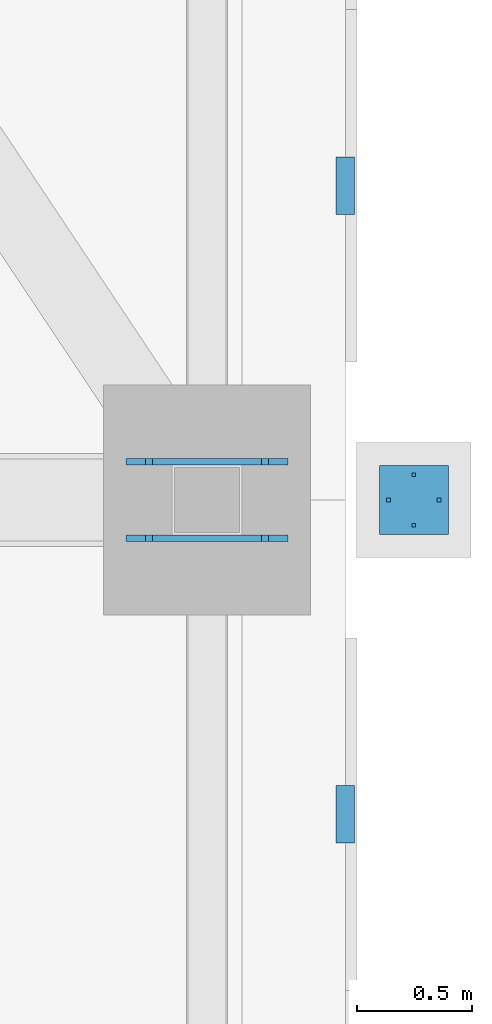
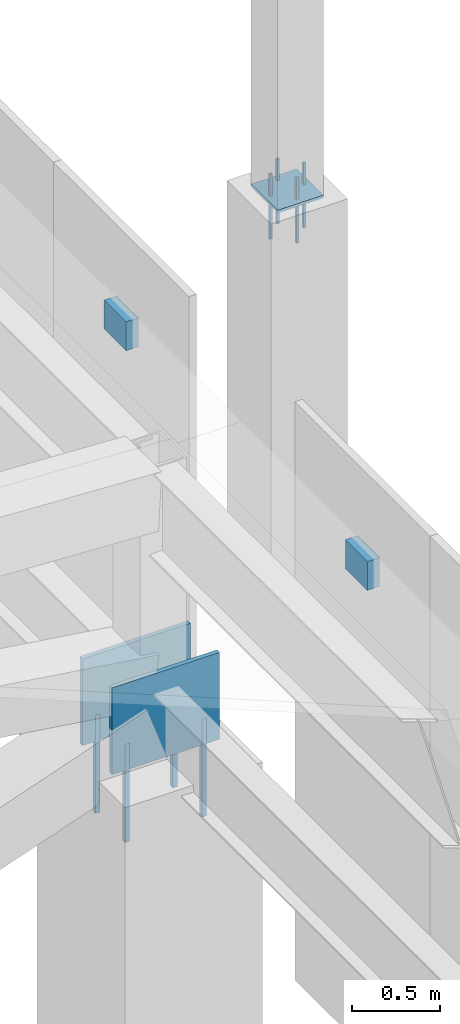
# One storey, part 193 of 278: 8 mechanical fasteners, 5 discrete accessories.
"""IFC4 building model written with IfcOpenShell, lengths in metres."""

import ifcopenshell
import ifcopenshell.guid

model = None  # the IFC model being written
_history = None  # IfcOwnerHistory: only IFC2X3 demands one
_inside = {}  # id of a spatial element -> (the spatial element, [elements in it])
_under = {}  # id of a project, library or spatial element -> (it, [spatial elements below it])
_declared = {}  # id of a project -> (the project, [libraries it declares])
_typed = {}  # id of a type object -> (the type object, [elements of that type])
_made_of = {}  # id of a material, layer set ... -> (it, [elements and type objects made of it])


def new_model(schema):
    """Start an empty IFC model of exactly this schema.

    Asked for "IFC4X3", IfcOpenShell would pick the latest addendum, in which some entities
    have other attributes; the version numbers below select the first issue.
    IFC2X3 requires an IfcOwnerHistory on every rooted entity: one is made here for all.
    """
    global model, _history
    if schema == "IFC4X3":
        model = ifcopenshell.file(schema_version=(4, 3, 0, 0))
    else:
        model = ifcopenshell.file(schema=schema)
    _inside.clear()
    _under.clear()
    _declared.clear()
    _typed.clear()
    _made_of.clear()
    _history = None
    if model.schema == "IFC2X3":
        org = make("IfcOrganization", Name="unknown")
        user = make(
            "IfcPersonAndOrganization",
            ThePerson=make("IfcPerson", FamilyName="unknown"),
            TheOrganization=org,
        )
        app = make(
            "IfcApplication",
            ApplicationDeveloper=org,
            Version="unknown",
            ApplicationFullName="unknown",
            ApplicationIdentifier="unknown",
        )
        _history = make(
            "IfcOwnerHistory",
            OwningUser=user,
            OwningApplication=app,
            ChangeAction="ADDED",
            CreationDate=0,
        )
    return model


def make(cls, **values):
    """One entity of the class cls with the attributes given. An attribute that is None is left unset."""
    return model.create_entity(
        cls, **{name: value for name, value in values.items() if value is not None}
    )


def rooted(cls, **values):
    """An entity with a GlobalId (a new one), such as an element, a storey or a relation."""
    return make(cls, GlobalId=ifcopenshell.guid.new(), OwnerHistory=_history, **values)


def si_unit(unit_type, name, prefix=None):
    """IfcSIUnit, for example si_unit("LENGTHUNIT", "METRE", prefix="MILLI")."""
    return make("IfcSIUnit", UnitType=unit_type, Prefix=prefix, Name=name)


def assignment(units):
    """IfcUnitAssignment: the units of a project."""
    return None if units is None else make("IfcUnitAssignment", Units=units)


def point(xyz):
    """IfcCartesianPoint."""
    return None if xyz is None else make("IfcCartesianPoint", Coordinates=xyz)


def direction(xyz):
    """IfcDirection."""
    return None if xyz is None else make("IfcDirection", DirectionRatios=xyz)


def frame(location, z_axis=None, x_axis=None):
    """IfcAxis2Placement3D, a coordinate frame: its origin and axes. An axis left out is left unset."""
    return make(
        "IfcAxis2Placement3D",
        Location=point(location),
        Axis=direction(z_axis),
        RefDirection=direction(x_axis),
    )


def frame_2d(location, x_axis=None):
    """IfcAxis2Placement2D, a coordinate frame in the plane: its origin and x axis."""
    return make(
        "IfcAxis2Placement2D", Location=point(location), RefDirection=direction(x_axis)
    )


def origin():
    """The frame at (0, 0, 0) with its axes left unset."""
    return frame((0.0, 0.0, 0.0))


def origin_2d():
    """The frame at (0, 0) in the plane with its x axis left unset."""
    return frame_2d((0.0, 0.0))


def place(relative_to, where):
    """IfcLocalPlacement: puts the frame where relative to a parent placement (None: the world)."""
    return make(
        "IfcLocalPlacement", PlacementRelTo=relative_to, RelativePlacement=where
    )


def context(
    kind, dimensions, precision=None, world=None, true_north=None, identifier=None
):
    """IfcGeometricRepresentationContext, for example the 3D "Model" context."""
    return make(
        "IfcGeometricRepresentationContext",
        ContextIdentifier=identifier,
        ContextType=kind,
        CoordinateSpaceDimension=dimensions,
        Precision=precision,
        WorldCoordinateSystem=world,
        TrueNorth=true_north,
    )


def subcontext(parent, identifier, kind, view, scale=None):
    """IfcGeometricRepresentationSubContext, for example "Body" below "Model"."""
    return make(
        "IfcGeometricRepresentationSubContext",
        ContextIdentifier=identifier,
        ContextType=kind,
        ParentContext=parent,
        TargetScale=scale,
        TargetView=view,
    )


def project(units=None, contexts=None):
    """IfcProject with its units and contexts."""
    return rooted(
        "IfcProject",
        Name="project",
        RepresentationContexts=contexts,
        UnitsInContext=assignment(units),
    )


def spatial(cls, under=None, at=None, **own):
    """A site, building, storey or space (cls), placed at a placement, below another one or the project."""
    s = rooted(cls, ObjectPlacement=at, **own)
    if under is not None:
        _under.setdefault(under.id(), (under, []))[1].append(s)
    return s


def profile(cls, at=None, kind="AREA", **sizes):
    """A parametric profile (cls). Its sizes go by their IFC names, for example OverallWidth=200.0."""
    return make(cls, ProfileType=kind, Position=at, **sizes)


def rectangle(**sizes):
    """IfcRectangleProfileDef."""
    return profile("IfcRectangleProfileDef", **sizes)


def extrude(swept, where, along, depth):
    """IfcExtrudedAreaSolid: the profile swept, set in the frame where, extruded along a direction by depth."""
    return make(
        "IfcExtrudedAreaSolid",
        SweptArea=swept,
        Position=where,
        ExtrudedDirection=direction(along),
        Depth=depth,
    )


def shape(context_of_items, identifier, shape_type, items):
    """IfcShapeRepresentation: the items that make up one representation, for example the "Body"."""
    return make(
        "IfcShapeRepresentation",
        ContextOfItems=context_of_items,
        RepresentationIdentifier=identifier,
        RepresentationType=shape_type,
        Items=items,
    )


def material(Name=None, Category=None):
    """IfcMaterial."""
    return make("IfcMaterial", Name=Name, Category=Category)


def layer(
    of_material, thickness, ventilated=None, Name=None, Category=None, Priority=None
):
    """IfcMaterialLayer: one layer of a wall or slab, of a material (None: an air gap)."""
    return make(
        "IfcMaterialLayer",
        Material=of_material,
        LayerThickness=thickness,
        IsVentilated=ventilated,
        Name=Name,
        Category=Category,
        Priority=Priority,
    )


def layer_set(layers, Name=None):
    """IfcMaterialLayerSet."""
    return make("IfcMaterialLayerSet", MaterialLayers=layers, LayerSetName=Name)


def made_of(thing, what):
    """Note that an element or type object is made of a material, layer set ...; save() writes the relation."""
    if what is not None:
        _made_of.setdefault(what.id(), (what, []))[1].append(thing)
    return thing


def type_object(cls, material=None, **own):
    """A type object (cls), such as IfcWallType, which elements share."""
    return made_of(rooted(cls, **own), material)


def element(
    cls,
    number,
    at=None,
    inside=None,
    cuts=None,
    type_object=None,
    material=None,
    context=None,
    identifier="Body",
    shape_type=None,
    held_by="IfcProductDefinitionShape",
    body=None,
    shapes=None,
    **own,
):
    """One element of the class cls, such as IfcWall. Its Tag is "e" and its number.

    at: its placement. inside: the storey or other place that contains it. cuts: it is an
    opening in that element (IfcRelVoidsElement). A single representation is given by context,
    identifier, shape_type and body (its items); several are given by shapes. held_by: the class
    of the entity that holds the representations. save() writes the other relations.
    """
    e = rooted(cls, Tag="e%d" % number, ObjectPlacement=at, **own)
    if body is not None:
        shapes = [shape(context, identifier, shape_type, body)]
    if shapes is not None:
        e.Representation = make(held_by, Representations=shapes)
    if inside is not None:
        _inside.setdefault(inside.id(), (inside, []))[1].append(e)
    if cuts is not None:
        rooted(
            "IfcRelVoidsElement", RelatingBuildingElement=cuts, RelatedOpeningElement=e
        )
    if type_object is not None:
        _typed.setdefault(type_object.id(), (type_object, []))[1].append(e)
    return made_of(e, material)


def aggregate(whole, parts):
    """IfcRelAggregates: a whole, such as a stair, and the parts it consists of."""
    return rooted("IfcRelAggregates", RelatingObject=whole, RelatedObjects=parts)


def save(model, path):
    """Write the relations noted so far, then the file.

    IfcRelAggregates (storeys below a building ...), IfcRelContainedInSpatialStructure (elements
    in a storey), IfcRelDefinesByType, IfcRelAssociatesMaterial and IfcRelDeclares: one each for
    every whole, place, type object, material and project.
    """
    for whole, parts in _under.values():
        aggregate(whole, parts)
    for where, things in _inside.values():
        rooted(
            "IfcRelContainedInSpatialStructure",
            RelatedElements=things,
            RelatingStructure=where,
        )
    for kind, things in _typed.values():
        rooted("IfcRelDefinesByType", RelatedObjects=things, RelatingType=kind)
    for what, things in _made_of.values():
        rooted("IfcRelAssociatesMaterial", RelatedObjects=things, RelatingMaterial=what)
    for by, libraries in _declared.values():
        rooted("IfcRelDeclares", RelatingContext=by, RelatedDefinitions=libraries)
    model.write(path)


model = new_model("IFC4")

# Units and contexts
model_context = context("Model", 3, precision=1e-05, world=origin(), true_north=direction((0.0, 1.0)))
body_context = subcontext(model_context, "Body", "Model", "MODEL_VIEW")
ifc_project = project(units=[si_unit("LENGTHUNIT", "METRE"), si_unit("AREAUNIT", "SQUARE_METRE"), si_unit("VOLUMEUNIT", "CUBIC_METRE"), si_unit("PLANEANGLEUNIT", "RADIAN"), si_unit("MASSUNIT", "GRAM", prefix="KILO")], contexts=[model_context])

# Site, building, storey
site_placement = place(None, origin())
site = spatial("IfcSite", under=ifc_project, at=site_placement, CompositionType="ELEMENT")
building_placement = place(site_placement, origin())
building = spatial("IfcBuilding", under=site, at=building_placement, Name="Ogive Plaza Stadium", CompositionType="ELEMENT")
storey_placement = place(building_placement, frame((0.0, 0.0, 29.0)))
storey = spatial("IfcBuildingStorey", under=building, at=storey_placement, Name="Roof", CompositionType="ELEMENT", Elevation=29.0)

# Mechanical fasteners
ifc_material_1 = material(Name="Steel ASTM A992 Grade 50", Category="steel")
mechanical_fastener_type_1 = type_object("IfcMechanicalFastenerType", Name="Anchor bolt M30 x 600", PredefinedType="ANCHORBOLT", material=ifc_material_1)
for number, where, z_axis, x_axis, name in (
    (1, (84.25244140625, -37.33349609375, 3.0), (0.0, 0.0, 1.0), (1.0, 0.0, 0.0), "ANCHOR BOLT 07 BF 1.1"),
    (2, (83.74755859375, -37.33349609375, 3.0), (0.0, 0.0, 1.0), (1.0, 0.0, 0.0), "ANCHOR BOLT 07 BF 1.2"),
    (3, (84.25244140625, -37.66650390625, 3.0), (0.0, 0.0, 1.0), (1.0, 0.0, 0.0), "ANCHOR BOLT 07 BF 2.1"),
    (4, (83.74755859375, -37.66650390625, 3.0), (0.0, 0.0, 1.0), (1.0, 0.0, 0.0), "ANCHOR BOLT 07 BF 2.2"),
):
    element("IfcMechanicalFastener", number, at=place(storey_placement, frame(where, z_axis=z_axis, x_axis=x_axis)), inside=storey, type_object=mechanical_fastener_type_1, Name=name, PredefinedType="ANCHORBOLT", context=body_context, shape_type="SweptSolid", body=[
        extrude(rectangle(XDim=0.030029296875, YDim=0.030029296875, at=origin_2d()), origin(), (0.0, 0.0, 1.0), 0.679931640625),
    ])
ifc_material_2 = material(Name="Steel ASTM A992 Grade 50", Category="steel")
mechanical_fastener_type_2 = type_object("IfcMechanicalFastenerType", Name="Spire anchor bolt M16 x 450", PredefinedType="ANCHORBOLT", material=ifc_material_2)
for number, where, z_axis, x_axis, name in (
    (5, (85.010009765625, -37.5, 6.7001953125), (0.0, 0.0, 1.0), (1.0, 0.0, 0.0), "SPIRE ANCHOR BOLT 07 1"),
    (6, (84.7900390625, -37.5, 6.7001953125), (0.0, 0.0, 1.0), (1.0, 0.0, 0.0), "SPIRE ANCHOR BOLT 07 2"),
    (7, (84.89990234375, -37.389892578125, 6.7001953125), (0.0, 0.0, 1.0), (1.0, 0.0, 0.0), "SPIRE ANCHOR BOLT 07 3"),
    (8, (84.89990234375, -37.610107421875, 6.7001953125), (0.0, 0.0, 1.0), (1.0, 0.0, 0.0), "SPIRE ANCHOR BOLT 07 4"),
):
    element("IfcMechanicalFastener", number, at=place(storey_placement, frame(where, z_axis=z_axis, x_axis=x_axis)), inside=storey, type_object=mechanical_fastener_type_2, Name=name, PredefinedType="ANCHORBOLT", context=body_context, shape_type="SweptSolid", body=[
        extrude(rectangle(XDim=0.01611328125, YDim=0.01611328125, at=origin_2d()), origin(), (0.0, 0.0, 1.0), 0.449951171875),
    ])

# Discrete accessories
ifc_material_3 = material(Name="Steel ASTM A992 Grade 50", Category="steel")
ifc_layer_1 = layer(ifc_material_3, 0.02001953125)
ifc_layer_set_1 = layer_set([ifc_layer_1], Name="Steel ASTM A992 Grade 50")
discrete_accessory_type_1 = type_object("IfcDiscreteAccessoryType", Name="Spire seat plate 20", PredefinedType="ANCHORPLATE", material=ifc_layer_set_1)
discrete_accessory_placement = place(storey_placement, frame((84.89990234375, -37.5, 6.98095703125), z_axis=(0.0, 0.0, 1.0), x_axis=(1.0, 0.0, 0.0)))
element("IfcDiscreteAccessory", 9, at=discrete_accessory_placement, inside=storey, type_object=discrete_accessory_type_1, Name="SPIRE SEAT PLATE 07", PredefinedType="ANCHORPLATE", context=body_context, shape_type="SweptSolid", body=[
    extrude(rectangle(XDim=0.300048828125, YDim=0.300048828125, at=origin_2d()), origin(), (0.0, 0.0, 1.0), 0.02001953125),
])
ifc_material_4 = material(Name="Steel ASTM A572 Grade 50", Category="steel")
ifc_layer_2 = layer(ifc_material_4, 0.080078125)
ifc_layer_set_2 = layer_set([ifc_layer_2], Name="Steel ASTM A572 Grade 50")
discrete_accessory_type_2 = type_object("IfcDiscreteAccessoryType", Name="Tracery screen bracket 250x200", PredefinedType="BRACKET", material=ifc_layer_set_2)
for number, where, z_axis, x_axis, name in (
    (10, (84.602294921875, -36.13330078125, 5.25), (0.0, 0.0, 1.0), (0.0, -1.0, 0.0), "TRACERY SCREEN BRACKET B06 9"),
    (11, (84.602294921875, -38.86669921875, 5.25), (0.0, 0.0, 1.0), (0.0, -1.0, 0.0), "TRACERY SCREEN BRACKET B07 1"),
):
    element("IfcDiscreteAccessory", number, at=place(storey_placement, frame(where, z_axis=z_axis, x_axis=x_axis)), inside=storey, type_object=discrete_accessory_type_2, Name=name, PredefinedType="BRACKET", context=body_context, shape_type="SweptSolid", body=[
        extrude(rectangle(XDim=0.25, YDim=0.080078125, at=origin_2d()), origin(), (0.0, 0.0, 1.0), 0.199951171875),
    ])
ifc_material_5 = material(Name="Steel ASTM A992 Grade 50", Category="steel")
ifc_layer_3 = layer(ifc_material_5, 0.030029296875)
ifc_layer_set_3 = layer_set([ifc_layer_3], Name="Steel ASTM A992 Grade 50")
discrete_accessory_type_3 = type_object("IfcDiscreteAccessoryType", Name="Truss back-stay foot cleat plate 30", PredefinedType="ANCHORPLATE", material=ifc_layer_set_3)
for number, where, z_axis, x_axis, name in (
    (12, (84.0, -37.33349609375, 3.5), (0.0, 0.0, 1.0), (1.0, 0.0, 0.0), "TRUSS BACK-STAY FOOT CLEAT PLATE 07 1"),
    (13, (84.0, -37.66650390625, 3.5), (0.0, 0.0, 1.0), (1.0, 0.0, 0.0), "TRUSS BACK-STAY FOOT CLEAT PLATE 07 2"),
):
    element("IfcDiscreteAccessory", number, at=place(storey_placement, frame(where, z_axis=z_axis, x_axis=x_axis)), inside=storey, type_object=discrete_accessory_type_3, Name=name, PredefinedType="ANCHORPLATE", context=body_context, shape_type="SweptSolid", body=[
        extrude(rectangle(XDim=0.704833984375, YDim=0.030029296875, at=origin_2d()), origin(), (0.0, 0.0, 1.0), 0.60009765625),
    ])

save(model, "model.ifc")
